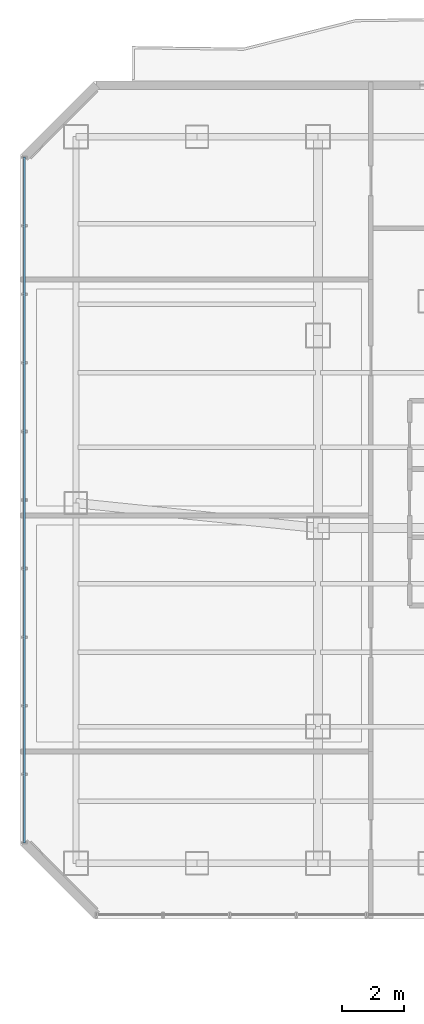
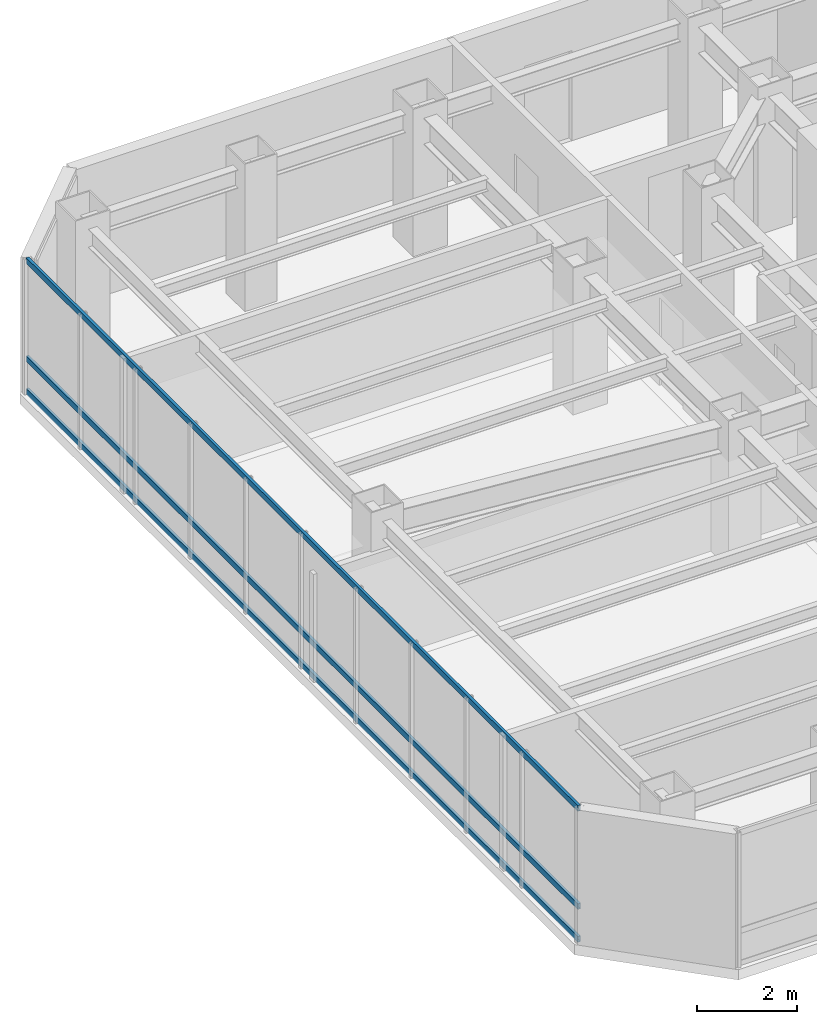
# One storey, part 10 of 29: 3 members, 1 element without a shape of its own.
"""IFC4 building model written with IfcOpenShell, lengths in metres."""

import ifcopenshell
import ifcopenshell.guid

model = None  # the IFC model being written
_history = None  # IfcOwnerHistory: only IFC2X3 demands one
_inside = {}  # id of a spatial element -> (the spatial element, [elements in it])
_under = {}  # id of a project, library or spatial element -> (it, [spatial elements below it])
_declared = {}  # id of a project -> (the project, [libraries it declares])
_typed = {}  # id of a type object -> (the type object, [elements of that type])
_made_of = {}  # id of a material, layer set ... -> (it, [elements and type objects made of it])


def new_model(schema):
    """Start an empty IFC model of exactly this schema.

    Asked for "IFC4X3", IfcOpenShell would pick the latest addendum, in which some entities
    have other attributes; the version numbers below select the first issue.
    IFC2X3 requires an IfcOwnerHistory on every rooted entity: one is made here for all.
    """
    global model, _history
    if schema == "IFC4X3":
        model = ifcopenshell.file(schema_version=(4, 3, 0, 0))
    else:
        model = ifcopenshell.file(schema=schema)
    _inside.clear()
    _under.clear()
    _declared.clear()
    _typed.clear()
    _made_of.clear()
    _history = None
    if model.schema == "IFC2X3":
        org = make("IfcOrganization", Name="unknown")
        user = make(
            "IfcPersonAndOrganization",
            ThePerson=make("IfcPerson", FamilyName="unknown"),
            TheOrganization=org,
        )
        app = make(
            "IfcApplication",
            ApplicationDeveloper=org,
            Version="unknown",
            ApplicationFullName="unknown",
            ApplicationIdentifier="unknown",
        )
        _history = make(
            "IfcOwnerHistory",
            OwningUser=user,
            OwningApplication=app,
            ChangeAction="ADDED",
            CreationDate=0,
        )
    return model


def make(cls, **values):
    """One entity of the class cls with the attributes given. An attribute that is None is left unset."""
    return model.create_entity(
        cls, **{name: value for name, value in values.items() if value is not None}
    )


def rooted(cls, **values):
    """An entity with a GlobalId (a new one), such as an element, a storey or a relation."""
    return make(cls, GlobalId=ifcopenshell.guid.new(), OwnerHistory=_history, **values)


def si_unit(unit_type, name, prefix=None):
    """IfcSIUnit, for example si_unit("LENGTHUNIT", "METRE", prefix="MILLI")."""
    return make("IfcSIUnit", UnitType=unit_type, Prefix=prefix, Name=name)


def assignment(units):
    """IfcUnitAssignment: the units of a project."""
    return None if units is None else make("IfcUnitAssignment", Units=units)


def point(xyz):
    """IfcCartesianPoint."""
    return None if xyz is None else make("IfcCartesianPoint", Coordinates=xyz)


def direction(xyz):
    """IfcDirection."""
    return None if xyz is None else make("IfcDirection", DirectionRatios=xyz)


def frame(location, z_axis=None, x_axis=None):
    """IfcAxis2Placement3D, a coordinate frame: its origin and axes. An axis left out is left unset."""
    return make(
        "IfcAxis2Placement3D",
        Location=point(location),
        Axis=direction(z_axis),
        RefDirection=direction(x_axis),
    )


def frame_2d(location, x_axis=None):
    """IfcAxis2Placement2D, a coordinate frame in the plane: its origin and x axis."""
    return make(
        "IfcAxis2Placement2D", Location=point(location), RefDirection=direction(x_axis)
    )


def origin():
    """The frame at (0, 0, 0) with its axes left unset."""
    return frame((0.0, 0.0, 0.0))


def origin_2d():
    """The frame at (0, 0) in the plane with its x axis left unset."""
    return frame_2d((0.0, 0.0))


def place(relative_to, where):
    """IfcLocalPlacement: puts the frame where relative to a parent placement (None: the world)."""
    return make(
        "IfcLocalPlacement", PlacementRelTo=relative_to, RelativePlacement=where
    )


def context(
    kind, dimensions, precision=None, world=None, true_north=None, identifier=None
):
    """IfcGeometricRepresentationContext, for example the 3D "Model" context."""
    return make(
        "IfcGeometricRepresentationContext",
        ContextIdentifier=identifier,
        ContextType=kind,
        CoordinateSpaceDimension=dimensions,
        Precision=precision,
        WorldCoordinateSystem=world,
        TrueNorth=true_north,
    )


def subcontext(parent, identifier, kind, view, scale=None):
    """IfcGeometricRepresentationSubContext, for example "Body" below "Model"."""
    return make(
        "IfcGeometricRepresentationSubContext",
        ContextIdentifier=identifier,
        ContextType=kind,
        ParentContext=parent,
        TargetScale=scale,
        TargetView=view,
    )


def project(units=None, contexts=None):
    """IfcProject with its units and contexts."""
    return rooted(
        "IfcProject",
        Name="project",
        RepresentationContexts=contexts,
        UnitsInContext=assignment(units),
    )


def spatial(cls, under=None, at=None, **own):
    """A site, building, storey or space (cls), placed at a placement, below another one or the project."""
    s = rooted(cls, ObjectPlacement=at, **own)
    if under is not None:
        _under.setdefault(under.id(), (under, []))[1].append(s)
    return s


def profile(cls, at=None, kind="AREA", **sizes):
    """A parametric profile (cls). Its sizes go by their IFC names, for example OverallWidth=200.0."""
    return make(cls, ProfileType=kind, Position=at, **sizes)


def hollow_rectangle(**sizes):
    """IfcRectangleHollowProfileDef."""
    return profile("IfcRectangleHollowProfileDef", **sizes)


def extrude(swept, where, along, depth):
    """IfcExtrudedAreaSolid: the profile swept, set in the frame where, extruded along a direction by depth."""
    return make(
        "IfcExtrudedAreaSolid",
        SweptArea=swept,
        Position=where,
        ExtrudedDirection=direction(along),
        Depth=depth,
    )


def shape(context_of_items, identifier, shape_type, items):
    """IfcShapeRepresentation: the items that make up one representation, for example the "Body"."""
    return make(
        "IfcShapeRepresentation",
        ContextOfItems=context_of_items,
        RepresentationIdentifier=identifier,
        RepresentationType=shape_type,
        Items=items,
    )


def material(Name=None, Category=None):
    """IfcMaterial."""
    return make("IfcMaterial", Name=Name, Category=Category)


def layer(
    of_material, thickness, ventilated=None, Name=None, Category=None, Priority=None
):
    """IfcMaterialLayer: one layer of a wall or slab, of a material (None: an air gap)."""
    return make(
        "IfcMaterialLayer",
        Material=of_material,
        LayerThickness=thickness,
        IsVentilated=ventilated,
        Name=Name,
        Category=Category,
        Priority=Priority,
    )


def layer_set(layers, Name=None):
    """IfcMaterialLayerSet."""
    return make("IfcMaterialLayerSet", MaterialLayers=layers, LayerSetName=Name)


def material_profile(
    of_material, cross_section, Name=None, Category=None, Priority=None
):
    """IfcMaterialProfile: a cross section and its material."""
    return make(
        "IfcMaterialProfile",
        Name=Name,
        Material=of_material,
        Profile=cross_section,
        Priority=Priority,
        Category=Category,
    )


def profile_set(profiles, Name=None, composite=None):
    """IfcMaterialProfileSet."""
    return make(
        "IfcMaterialProfileSet",
        Name=Name,
        MaterialProfiles=profiles,
        CompositeProfile=composite,
    )


def made_of(thing, what):
    """Note that an element or type object is made of a material, layer set ...; save() writes the relation."""
    if what is not None:
        _made_of.setdefault(what.id(), (what, []))[1].append(thing)
    return thing


def type_object(cls, material=None, **own):
    """A type object (cls), such as IfcWallType, which elements share."""
    return made_of(rooted(cls, **own), material)


def element(
    cls,
    number,
    at=None,
    inside=None,
    cuts=None,
    type_object=None,
    material=None,
    context=None,
    identifier="Body",
    shape_type=None,
    held_by="IfcProductDefinitionShape",
    body=None,
    shapes=None,
    **own,
):
    """One element of the class cls, such as IfcWall. Its Tag is "e" and its number.

    at: its placement. inside: the storey or other place that contains it. cuts: it is an
    opening in that element (IfcRelVoidsElement). A single representation is given by context,
    identifier, shape_type and body (its items); several are given by shapes. held_by: the class
    of the entity that holds the representations. save() writes the other relations.
    """
    e = rooted(cls, Tag="e%d" % number, ObjectPlacement=at, **own)
    if body is not None:
        shapes = [shape(context, identifier, shape_type, body)]
    if shapes is not None:
        e.Representation = make(held_by, Representations=shapes)
    if inside is not None:
        _inside.setdefault(inside.id(), (inside, []))[1].append(e)
    if cuts is not None:
        rooted(
            "IfcRelVoidsElement", RelatingBuildingElement=cuts, RelatedOpeningElement=e
        )
    if type_object is not None:
        _typed.setdefault(type_object.id(), (type_object, []))[1].append(e)
    return made_of(e, material)


def aggregate(whole, parts):
    """IfcRelAggregates: a whole, such as a stair, and the parts it consists of."""
    return rooted("IfcRelAggregates", RelatingObject=whole, RelatedObjects=parts)


def save(model, path):
    """Write the relations noted so far, then the file.

    IfcRelAggregates (storeys below a building ...), IfcRelContainedInSpatialStructure (elements
    in a storey), IfcRelDefinesByType, IfcRelAssociatesMaterial and IfcRelDeclares: one each for
    every whole, place, type object, material and project.
    """
    for whole, parts in _under.values():
        aggregate(whole, parts)
    for where, things in _inside.values():
        rooted(
            "IfcRelContainedInSpatialStructure",
            RelatedElements=things,
            RelatingStructure=where,
        )
    for kind, things in _typed.values():
        rooted("IfcRelDefinesByType", RelatedObjects=things, RelatingType=kind)
    for what, things in _made_of.values():
        rooted("IfcRelAssociatesMaterial", RelatedObjects=things, RelatingMaterial=what)
    for by, libraries in _declared.values():
        rooted("IfcRelDeclares", RelatingContext=by, RelatedDefinitions=libraries)
    model.write(path)


model = new_model("IFC4")

# Units and contexts
model_context = context("Model", 3, precision=1e-05, world=origin(), true_north=direction((0.0, 1.0)))
body_context = subcontext(model_context, "Body", "Model", "MODEL_VIEW")
ifc_project = project(units=[si_unit("LENGTHUNIT", "METRE"), si_unit("AREAUNIT", "SQUARE_METRE"), si_unit("VOLUMEUNIT", "CUBIC_METRE"), si_unit("PLANEANGLEUNIT", "RADIAN"), si_unit("MASSUNIT", "GRAM", prefix="KILO")], contexts=[model_context])

# Site, building, storey
site_placement = place(None, origin())
site = spatial("IfcSite", under=ifc_project, at=site_placement, CompositionType="ELEMENT")
building_placement = place(site_placement, origin())
building = spatial("IfcBuilding", under=site, at=building_placement, Name="Hatsunagi Terrace Concourse", CompositionType="ELEMENT")
storey_placement = place(building_placement, frame((0.0, 0.0, 178.050048828125)))
storey = spatial("IfcBuildingStorey", under=building, at=storey_placement, Name="L47", CompositionType="ELEMENT", Elevation=178.050048828125)

# Curtain wall, members
ifc_material_1 = material(Name="Anodised Aluminium Alloy 6063-T5", Category="aluminium")
ifc_layer = layer(ifc_material_1, 0.199951171875)
ifc_layer_set = layer_set([ifc_layer], Name="OfficeZone1_CW03")
curtain_wall_type = type_object("IfcCurtainWallType", Name="OfficeZone1_CW03", PredefinedType="NOTDEFINED", material=ifc_layer_set)
curtain_wall_placement = place(storey_placement, origin())
curtain_wall = element("IfcCurtainWall", 1, at=curtain_wall_placement, inside=storey, type_object=curtain_wall_type, Name="Unitised Curtain Wall CW-03 CW-L47-09", PredefinedType="NOTDEFINED")
ifc_material_2 = material(Name="Anodised Aluminium Alloy 6063-T5", Category="aluminium")
ifc_material_profile = material_profile(ifc_material_2, hollow_rectangle(XDim=0.06494140625, YDim=0.139892578125, WallThickness=0.00390625, at=origin_2d()), Name="ALU-TRN-140x65x4")
ifc_profile_set = profile_set([ifc_material_profile], Name="Anodised Aluminium Alloy 6063-T5")
member_type = type_object("IfcMemberType", Name="CurtainWallTransom_140x65", PredefinedType="USERDEFINED", material=ifc_profile_set)
member_1_placement = place(storey_placement, frame((9.739990234375, 25.85791015625, 0.050048828125), z_axis=(0.0, 1.0, 0.0), x_axis=(-1.0, 0.0, 0.0)))
member_1 = element("IfcMember", 2, at=member_1_placement, type_object=member_type, Name="Curtain Wall Transom TRN-02", ObjectType="TRANSOM", PredefinedType="USERDEFINED", context=body_context, shape_type="SweptSolid", body=[
    extrude(hollow_rectangle(XDim=0.06494140625, YDim=0.139892578125, WallThickness=0.00390625, at=origin_2d()), origin(), (0.0, 0.0, 1.0), 22.083984375),
])
member_2_placement = place(storey_placement, frame((9.739990234375, 25.85791015625, 0.849853515625), z_axis=(0.0, 1.0, 0.0), x_axis=(-1.0, 0.0, 0.0)))
member_2 = element("IfcMember", 3, at=member_2_placement, type_object=member_type, Name="Curtain Wall Transom TRN-02", ObjectType="TRANSOM", PredefinedType="USERDEFINED", context=body_context, shape_type="SweptSolid", body=[
    extrude(hollow_rectangle(XDim=0.06494140625, YDim=0.139892578125, WallThickness=0.00390625, at=origin_2d()), origin(), (0.0, 0.0, 1.0), 22.083984375),
])
member_3_placement = place(storey_placement, frame((9.739990234375, 25.85791015625, 3.25), z_axis=(0.0, 1.0, 0.0), x_axis=(-1.0, 0.0, 0.0)))
member_3 = element("IfcMember", 4, at=member_3_placement, type_object=member_type, Name="Curtain Wall Transom TRN-02", ObjectType="TRANSOM", PredefinedType="USERDEFINED", context=body_context, shape_type="SweptSolid", body=[
    extrude(hollow_rectangle(XDim=0.06494140625, YDim=0.139892578125, WallThickness=0.00390625, at=origin_2d()), origin(), (0.0, 0.0, 1.0), 22.083984375),
])
aggregate(curtain_wall, [member_1, member_2, member_3])

save(model, "model.ifc")
